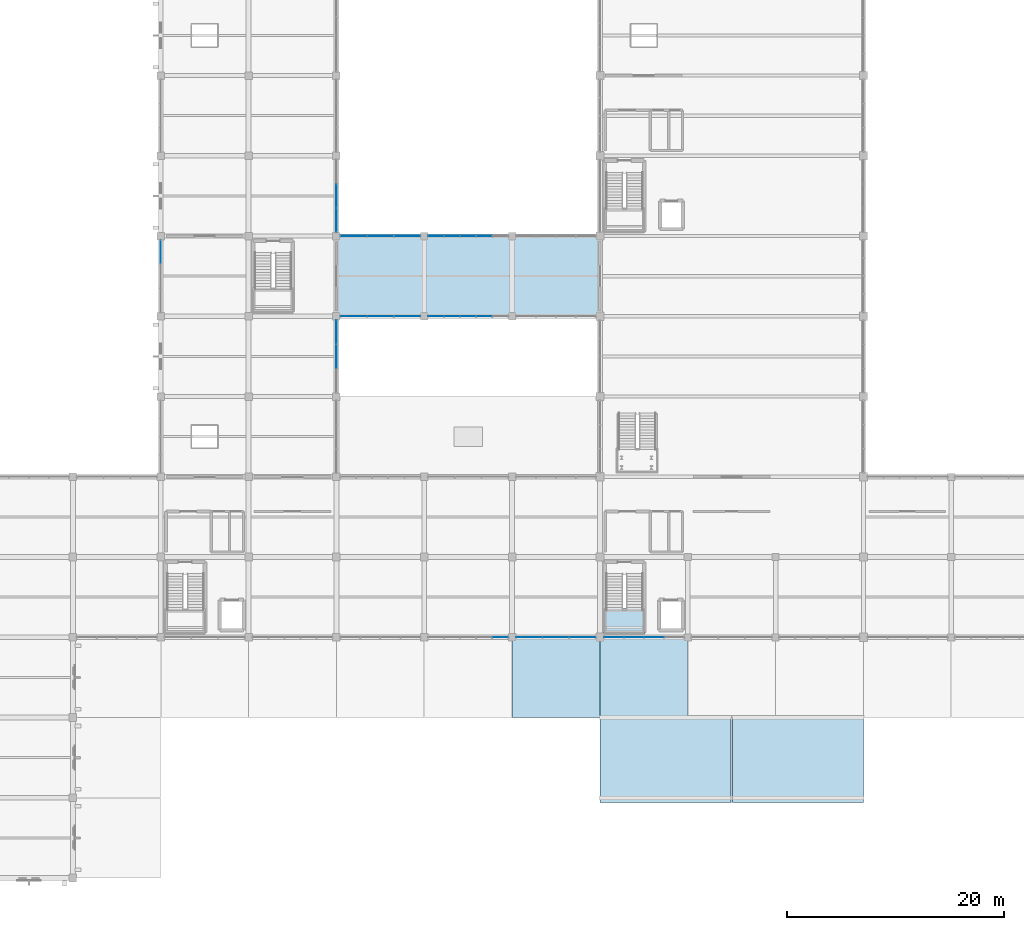
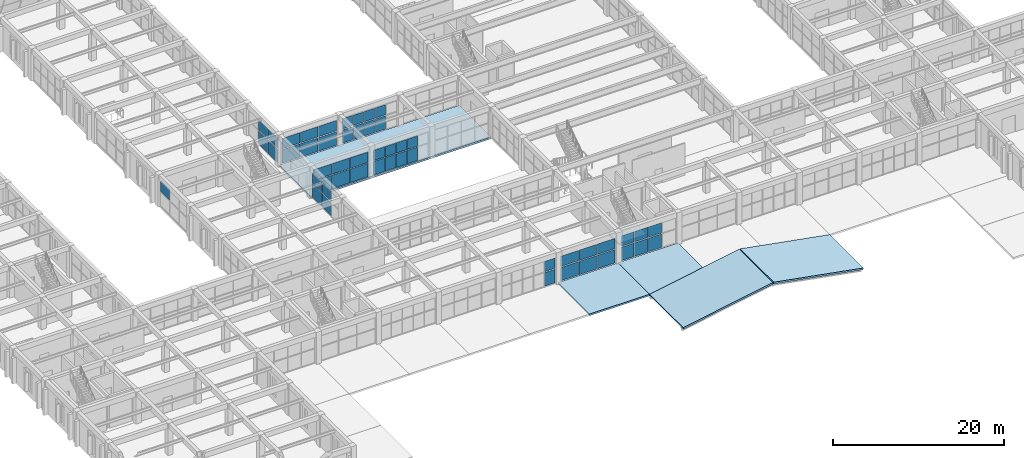
# One storey, part 132 of 161: 51 plates, 6 slabs, 11 elements without a shape of their own.
"""IFC4 building model written with IfcOpenShell, lengths in metres."""

from ifc_helpers import new_model, si_unit, direction, frame, origin, origin_2d, place, context, subcontext, project, spatial, polyline, rectangle, outline, extrude, material, layer, layer_set, type_object, element, aggregate, save


model = new_model("IFC4")

# Units and contexts
model_context = context("Model", 3, precision=1e-05, world=origin(), true_north=direction((0.0, 1.0)))
body_context = subcontext(model_context, "Body", "Model", "MODEL_VIEW")
ifc_project = project(units=[si_unit("LENGTHUNIT", "METRE"), si_unit("AREAUNIT", "SQUARE_METRE"), si_unit("VOLUMEUNIT", "CUBIC_METRE"), si_unit("PLANEANGLEUNIT", "RADIAN"), si_unit("MASSUNIT", "GRAM", prefix="KILO")], contexts=[model_context])

# Site, building, storey
site_placement = place(None, origin())
site = spatial("IfcSite", under=ifc_project, at=site_placement, CompositionType="ELEMENT")
building_placement = place(site_placement, origin())
building = spatial("IfcBuilding", under=site, at=building_placement, Name="Cimatlan Art Gallery", CompositionType="ELEMENT")
storey_placement = place(building_placement, frame((0.0, 0.0, 5.39990234375)))
storey = spatial("IfcBuildingStorey", under=building, at=storey_placement, Name="L01", CompositionType="ELEMENT", Elevation=5.39990234375)

# Curtain wall, plates
ifc_material_1 = material(Name="Anodised bronze unitised curtain wall")
curtain_wall_type_1 = type_object("IfcCurtainWallType", Name="CW-V-07392X03735-B5", PredefinedType="NOTDEFINED", material=ifc_material_1)
curtain_wall_1_placement = place(storey_placement, origin())
curtain_wall_1 = element("IfcCurtainWall", 1, at=curtain_wall_1_placement, inside=storey, type_object=curtain_wall_type_1, Name="CW-L01-07-07-S", PredefinedType="NOTDEFINED")
ifc_material_2 = material(Name="Low-E insulated double glazing", Category="glass")
ifc_layer_1 = layer(ifc_material_2, 0.028076171875)
ifc_layer_set_1 = layer_set([ifc_layer_1], Name="Low-E insulated double glazing")
plate_type_1 = type_object("IfcPlateType", Name="PNL-1420X1459", PredefinedType="CURTAIN_PANEL", material=ifc_layer_set_1)
plate_1_placement = place(storey_placement, frame((64.228515625, 53.5, 2.15380859375), z_axis=(0.0, 0.0, 1.0), x_axis=(-1.0, 0.0, 0.0)))
plate_1 = element("IfcPlate", 2, at=plate_1_placement, type_object=plate_type_1, Name="CW-L01-07-07-S-P22", PredefinedType="CURTAIN_PANEL", context=body_context, shape_type="SweptSolid", body=[
    extrude(rectangle(XDim=1.419921875, YDim=0.028076171875, at=origin_2d()), origin(), (0.0, 0.0, 1.0), 1.458984375),
])
plate_2_placement = place(storey_placement, frame((62.75, 53.5, 2.15380859375), z_axis=(0.0, 0.0, 1.0), x_axis=(-1.0, 0.0, 0.0)))
plate_2 = element("IfcPlate", 3, at=plate_2_placement, type_object=plate_type_1, Name="CW-L01-07-07-S-P32", PredefinedType="CURTAIN_PANEL", context=body_context, shape_type="SweptSolid", body=[
    extrude(rectangle(XDim=1.419921875, YDim=0.028076171875, at=origin_2d()), origin(), (0.0, 0.0, 1.0), 1.458984375),
])
plate_3_placement = place(storey_placement, frame((61.271484375, 53.5, 2.15380859375), z_axis=(0.0, 0.0, 1.0), x_axis=(-1.0, 0.0, 0.0)))
plate_3 = element("IfcPlate", 4, at=plate_3_placement, type_object=plate_type_1, Name="CW-L01-07-07-S-P42", PredefinedType="CURTAIN_PANEL", context=body_context, shape_type="SweptSolid", body=[
    extrude(rectangle(XDim=1.419921875, YDim=0.028076171875, at=origin_2d()), origin(), (0.0, 0.0, 1.0), 1.458984375),
])
plate_4_placement = place(storey_placement, frame((59.793212890625, 53.5, 2.15380859375), z_axis=(0.0, 0.0, 1.0), x_axis=(-1.0, 0.0, 0.0)))
plate_4 = element("IfcPlate", 5, at=plate_4_placement, type_object=plate_type_1, Name="CW-L01-07-07-S-P52", PredefinedType="CURTAIN_PANEL", context=body_context, shape_type="SweptSolid", body=[
    extrude(rectangle(XDim=1.419921875, YDim=0.028076171875, at=origin_2d()), origin(), (0.0, 0.0, 1.0), 1.458984375),
])

curtain_wall_2_placement = place(storey_placement, origin())
curtain_wall_2 = element("IfcCurtainWall", 6, at=curtain_wall_2_placement, inside=storey, type_object=curtain_wall_type_1, Name="CW-L01-07-07-N", PredefinedType="NOTDEFINED")
plate_5_placement = place(storey_placement, frame((59.793212890625, 60.89990234375, 2.15380859375), z_axis=(0.0, 0.0, 1.0), x_axis=(1.0, 0.0, 0.0)))
plate_5 = element("IfcPlate", 7, at=plate_5_placement, type_object=plate_type_1, Name="CW-L01-07-07-N-P12", PredefinedType="CURTAIN_PANEL", context=body_context, shape_type="SweptSolid", body=[
    extrude(rectangle(XDim=1.419921875, YDim=0.028076171875, at=origin_2d()), origin(), (0.0, 0.0, 1.0), 1.458984375),
])
plate_6_placement = place(storey_placement, frame((61.271484375, 60.89990234375, 2.15380859375), z_axis=(0.0, 0.0, 1.0), x_axis=(1.0, 0.0, 0.0)))
plate_6 = element("IfcPlate", 8, at=plate_6_placement, type_object=plate_type_1, Name="CW-L01-07-07-N-P22", PredefinedType="CURTAIN_PANEL", context=body_context, shape_type="SweptSolid", body=[
    extrude(rectangle(XDim=1.419921875, YDim=0.028076171875, at=origin_2d()), origin(), (0.0, 0.0, 1.0), 1.458984375),
])
plate_7_placement = place(storey_placement, frame((62.75, 60.89990234375, 2.15380859375), z_axis=(0.0, 0.0, 1.0), x_axis=(1.0, 0.0, 0.0)))
plate_7 = element("IfcPlate", 9, at=plate_7_placement, type_object=plate_type_1, Name="CW-L01-07-07-N-P32", PredefinedType="CURTAIN_PANEL", context=body_context, shape_type="SweptSolid", body=[
    extrude(rectangle(XDim=1.419921875, YDim=0.028076171875, at=origin_2d()), origin(), (0.0, 0.0, 1.0), 1.458984375),
])
plate_8_placement = place(storey_placement, frame((64.228515625, 60.89990234375, 2.15380859375), z_axis=(0.0, 0.0, 1.0), x_axis=(1.0, 0.0, 0.0)))
plate_8 = element("IfcPlate", 10, at=plate_8_placement, type_object=plate_type_1, Name="CW-L01-07-07-N-P42", PredefinedType="CURTAIN_PANEL", context=body_context, shape_type="SweptSolid", body=[
    extrude(rectangle(XDim=1.419921875, YDim=0.028076171875, at=origin_2d()), origin(), (0.0, 0.0, 1.0), 1.458984375),
])

# Curtain wall, plate
curtain_wall_type_2 = type_object("IfcCurtainWallType", Name="CW-V-07392X03795-B5", PredefinedType="NOTDEFINED", material=ifc_material_1)
curtain_wall_3_placement = place(storey_placement, origin())
curtain_wall_3 = element("IfcCurtainWall", 11, at=curtain_wall_3_placement, inside=storey, type_object=curtain_wall_type_2, Name="CW-L01-07-03-S", PredefinedType="NOTDEFINED")
ifc_layer_2 = layer(ifc_material_2, 0.028076171875)
ifc_layer_set_2 = layer_set([ifc_layer_2], Name="Low-E insulated double glazing")
plate_type_2 = type_object("IfcPlateType", Name="PNL-1420X1486", PredefinedType="CURTAIN_PANEL", material=ifc_layer_set_2)
plate_9_placement = place(storey_placement, frame((65.706787109375, 23.89990234375, 2.18701171875), z_axis=(0.0, 0.0, 1.0), x_axis=(-1.0, 0.0, 0.0)))
plate_9 = element("IfcPlate", 12, at=plate_9_placement, type_object=plate_type_2, Name="CW-L01-07-03-S-P12", PredefinedType="CURTAIN_PANEL", context=body_context, shape_type="SweptSolid", body=[
    extrude(rectangle(XDim=1.419921875, YDim=0.028076171875, at=origin_2d()), origin(), (0.0, 0.0, 1.0), 1.486083984375),
])

# Plate
ifc_layer_3 = layer(ifc_material_2, 0.028076171875)
ifc_layer_set_3 = layer_set([ifc_layer_3], Name="Low-E insulated double glazing")
plate_type_3 = type_object("IfcPlateType", Name="PNL-1420X1908", PredefinedType="CURTAIN_PANEL", material=ifc_layer_set_3)
plate_10_placement = place(storey_placement, frame((64.228515625, 53.5, 0.1220703125), z_axis=(0.0, 0.0, 1.0), x_axis=(-1.0, 0.0, 0.0)))
plate_10 = element("IfcPlate", 13, at=plate_10_placement, type_object=plate_type_3, Name="CW-L01-07-07-S-P21", PredefinedType="CURTAIN_PANEL", context=body_context, shape_type="SweptSolid", body=[
    extrude(rectangle(XDim=1.419921875, YDim=0.028076171875, at=origin_2d()), origin(), (0.0, 0.0, 1.0), 1.907958984375),
])

plate_11_placement = place(storey_placement, frame((62.75, 53.5, 0.1220703125), z_axis=(0.0, 0.0, 1.0), x_axis=(-1.0, 0.0, 0.0)))
plate_11 = element("IfcPlate", 14, at=plate_11_placement, type_object=plate_type_3, Name="CW-L01-07-07-S-P31", PredefinedType="CURTAIN_PANEL", context=body_context, shape_type="SweptSolid", body=[
    extrude(rectangle(XDim=1.419921875, YDim=0.028076171875, at=origin_2d()), origin(), (0.0, 0.0, 1.0), 1.907958984375),
])

plate_12_placement = place(storey_placement, frame((61.271484375, 53.5, 0.1220703125), z_axis=(0.0, 0.0, 1.0), x_axis=(-1.0, 0.0, 0.0)))
plate_12 = element("IfcPlate", 15, at=plate_12_placement, type_object=plate_type_3, Name="CW-L01-07-07-S-P41", PredefinedType="CURTAIN_PANEL", context=body_context, shape_type="SweptSolid", body=[
    extrude(rectangle(XDim=1.419921875, YDim=0.028076171875, at=origin_2d()), origin(), (0.0, 0.0, 1.0), 1.907958984375),
])

plate_13_placement = place(storey_placement, frame((59.793212890625, 53.5, 0.1220703125), z_axis=(0.0, 0.0, 1.0), x_axis=(-1.0, 0.0, 0.0)))
plate_13 = element("IfcPlate", 16, at=plate_13_placement, type_object=plate_type_3, Name="CW-L01-07-07-S-P51", PredefinedType="CURTAIN_PANEL", context=body_context, shape_type="SweptSolid", body=[
    extrude(rectangle(XDim=1.419921875, YDim=0.028076171875, at=origin_2d()), origin(), (0.0, 0.0, 1.0), 1.907958984375),
])

aggregate(curtain_wall_1, [plate_10, plate_1, plate_11, plate_2, plate_12, plate_3, plate_13, plate_4])

plate_14_placement = place(storey_placement, frame((59.793212890625, 60.89990234375, 0.1220703125), z_axis=(0.0, 0.0, 1.0), x_axis=(1.0, 0.0, 0.0)))
plate_14 = element("IfcPlate", 17, at=plate_14_placement, type_object=plate_type_3, Name="CW-L01-07-07-N-P11", PredefinedType="CURTAIN_PANEL", context=body_context, shape_type="SweptSolid", body=[
    extrude(rectangle(XDim=1.419921875, YDim=0.028076171875, at=origin_2d()), origin(), (0.0, 0.0, 1.0), 1.907958984375),
])

plate_15_placement = place(storey_placement, frame((61.271484375, 60.89990234375, 0.1220703125), z_axis=(0.0, 0.0, 1.0), x_axis=(1.0, 0.0, 0.0)))
plate_15 = element("IfcPlate", 18, at=plate_15_placement, type_object=plate_type_3, Name="CW-L01-07-07-N-P21", PredefinedType="CURTAIN_PANEL", context=body_context, shape_type="SweptSolid", body=[
    extrude(rectangle(XDim=1.419921875, YDim=0.028076171875, at=origin_2d()), origin(), (0.0, 0.0, 1.0), 1.907958984375),
])

plate_16_placement = place(storey_placement, frame((62.75, 60.89990234375, 0.1220703125), z_axis=(0.0, 0.0, 1.0), x_axis=(1.0, 0.0, 0.0)))
plate_16 = element("IfcPlate", 19, at=plate_16_placement, type_object=plate_type_3, Name="CW-L01-07-07-N-P31", PredefinedType="CURTAIN_PANEL", context=body_context, shape_type="SweptSolid", body=[
    extrude(rectangle(XDim=1.419921875, YDim=0.028076171875, at=origin_2d()), origin(), (0.0, 0.0, 1.0), 1.907958984375),
])

plate_17_placement = place(storey_placement, frame((64.228515625, 60.89990234375, 0.1220703125), z_axis=(0.0, 0.0, 1.0), x_axis=(1.0, 0.0, 0.0)))
plate_17 = element("IfcPlate", 20, at=plate_17_placement, type_object=plate_type_3, Name="CW-L01-07-07-N-P41", PredefinedType="CURTAIN_PANEL", context=body_context, shape_type="SweptSolid", body=[
    extrude(rectangle(XDim=1.419921875, YDim=0.028076171875, at=origin_2d()), origin(), (0.0, 0.0, 1.0), 1.907958984375),
])

aggregate(curtain_wall_2, [plate_14, plate_5, plate_15, plate_6, plate_16, plate_7, plate_17, plate_8])

ifc_layer_4 = layer(ifc_material_2, 0.028076171875)
ifc_layer_set_4 = layer_set([ifc_layer_4], Name="Low-E insulated double glazing")
plate_type_4 = type_object("IfcPlateType", Name="PNL-1420X1941", PredefinedType="CURTAIN_PANEL", material=ifc_layer_set_4)
plate_18_placement = place(storey_placement, frame((65.706787109375, 23.89990234375, 0.122314453125), z_axis=(0.0, 0.0, 1.0), x_axis=(-1.0, 0.0, 0.0)))
plate_18 = element("IfcPlate", 21, at=plate_18_placement, type_object=plate_type_4, Name="CW-L01-07-03-S-P11", PredefinedType="CURTAIN_PANEL", context=body_context, shape_type="SweptSolid", body=[
    extrude(rectangle(XDim=1.419921875, YDim=0.028076171875, at=origin_2d()), origin(), (0.0, 0.0, 1.0), 1.94091796875),
])

aggregate(curtain_wall_3, [plate_18, plate_9])

# Curtain wall, plates
curtain_wall_type_3 = type_object("IfcCurtainWallType", Name="CW-V-07392X03795-B4", PredefinedType="NOTDEFINED", material=ifc_material_1)
curtain_wall_4_placement = place(storey_placement, origin())
curtain_wall_4 = element("IfcCurtainWall", 22, at=curtain_wall_4_placement, inside=storey, type_object=curtain_wall_type_3, Name="CW-L01-09-03-S", PredefinedType="NOTDEFINED")
ifc_layer_5 = layer(ifc_material_2, 0.028076171875)
ifc_layer_set_5 = layer_set([ifc_layer_5], Name="Low-E insulated double glazing")
plate_type_5 = type_object("IfcPlateType", Name="PNL-1790X1486", PredefinedType="CURTAIN_PANEL", material=ifc_layer_set_5)
plate_19_placement = place(storey_placement, frame((79.89892578125, 23.89990234375, 2.18701171875), z_axis=(0.0, 0.0, 1.0), x_axis=(-1.0, 0.0, 0.0)))
plate_19 = element("IfcPlate", 23, at=plate_19_placement, type_object=plate_type_5, Name="CW-L01-09-03-S-P22", PredefinedType="CURTAIN_PANEL", context=body_context, shape_type="SweptSolid", body=[
    extrude(rectangle(XDim=1.7900390625, YDim=0.028076171875, at=origin_2d()), origin(), (0.0, 0.0, 1.0), 1.486083984375),
])
plate_20_placement = place(storey_placement, frame((78.051025390625, 23.89990234375, 2.18701171875), z_axis=(0.0, 0.0, 1.0), x_axis=(-1.0, 0.0, 0.0)))
plate_20 = element("IfcPlate", 24, at=plate_20_placement, type_object=plate_type_5, Name="CW-L01-09-03-S-P32", PredefinedType="CURTAIN_PANEL", context=body_context, shape_type="SweptSolid", body=[
    extrude(rectangle(XDim=1.7900390625, YDim=0.028076171875, at=origin_2d()), origin(), (0.0, 0.0, 1.0), 1.486083984375),
])
plate_21_placement = place(storey_placement, frame((76.202880859375, 23.89990234375, 2.18701171875), z_axis=(0.0, 0.0, 1.0), x_axis=(-1.0, 0.0, 0.0)))
plate_21 = element("IfcPlate", 25, at=plate_21_placement, type_object=plate_type_5, Name="CW-L01-09-03-S-P42", PredefinedType="CURTAIN_PANEL", context=body_context, shape_type="SweptSolid", body=[
    extrude(rectangle(XDim=1.7900390625, YDim=0.028076171875, at=origin_2d()), origin(), (0.0, 0.0, 1.0), 1.486083984375),
])
ifc_layer_6 = layer(ifc_material_2, 0.028076171875)
ifc_layer_set_6 = layer_set([ifc_layer_6], Name="Low-E insulated double glazing")
plate_type_6 = type_object("IfcPlateType", Name="PNL-1790X1941", PredefinedType="CURTAIN_PANEL", material=ifc_layer_set_6)
plate_22_placement = place(storey_placement, frame((79.89892578125, 23.89990234375, 0.122314453125), z_axis=(0.0, 0.0, 1.0), x_axis=(-1.0, 0.0, 0.0)))
plate_22 = element("IfcPlate", 26, at=plate_22_placement, type_object=plate_type_6, Name="CW-L01-09-03-S-P21", PredefinedType="CURTAIN_PANEL", context=body_context, shape_type="SweptSolid", body=[
    extrude(rectangle(XDim=1.7900390625, YDim=0.028076171875, at=origin_2d()), origin(), (0.0, 0.0, 1.0), 1.94091796875),
])
plate_23_placement = place(storey_placement, frame((78.051025390625, 23.89990234375, 0.122314453125), z_axis=(0.0, 0.0, 1.0), x_axis=(-1.0, 0.0, 0.0)))
plate_23 = element("IfcPlate", 27, at=plate_23_placement, type_object=plate_type_6, Name="CW-L01-09-03-S-P31", PredefinedType="CURTAIN_PANEL", context=body_context, shape_type="SweptSolid", body=[
    extrude(rectangle(XDim=1.7900390625, YDim=0.028076171875, at=origin_2d()), origin(), (0.0, 0.0, 1.0), 1.94091796875),
])
plate_24_placement = place(storey_placement, frame((76.202880859375, 23.89990234375, 0.122314453125), z_axis=(0.0, 0.0, 1.0), x_axis=(-1.0, 0.0, 0.0)))
plate_24 = element("IfcPlate", 28, at=plate_24_placement, type_object=plate_type_6, Name="CW-L01-09-03-S-P41", PredefinedType="CURTAIN_PANEL", context=body_context, shape_type="SweptSolid", body=[
    extrude(rectangle(XDim=1.7900390625, YDim=0.028076171875, at=origin_2d()), origin(), (0.0, 0.0, 1.0), 1.94091796875),
])
aggregate(curtain_wall_4, [plate_22, plate_19, plate_23, plate_20, plate_24, plate_21])

curtain_wall_type_4 = type_object("IfcCurtainWallType", Name="CW-V-06692X03720-B3", PredefinedType="NOTDEFINED", material=ifc_material_1)
curtain_wall_5_placement = place(storey_placement, origin())
curtain_wall_5 = element("IfcCurtainWall", 29, at=curtain_wall_5_placement, inside=storey, type_object=curtain_wall_type_4, Name="CW-L01-05-08-E", PredefinedType="NOTDEFINED")
ifc_layer_7 = layer(ifc_material_2, 0.028076171875)
ifc_layer_set_7 = layer_set([ifc_layer_7], Name="Low-E insulated double glazing")
plate_type_7 = type_object("IfcPlateType", Name="PNL-2173X1453", PredefinedType="CURTAIN_PANEL", material=ifc_layer_set_7)
plate_25_placement = place(storey_placement, frame((50.60009765625, 64.60009765625, 2.14501953125), z_axis=(0.0, 0.0, 1.0), x_axis=(0.0, -1.0, 0.0)))
plate_25 = element("IfcPlate", 30, at=plate_25_placement, type_object=plate_type_7, Name="CW-L01-05-08-E-P22", PredefinedType="CURTAIN_PANEL", context=body_context, shape_type="SweptSolid", body=[
    extrude(rectangle(XDim=2.173095703125, YDim=0.028076171875, at=origin_2d()), origin(), (0.0, 0.0, 1.0), 1.452880859375),
])
plate_26_placement = place(storey_placement, frame((50.60009765625, 62.369384765625, 2.14501953125), z_axis=(0.0, 0.0, 1.0), x_axis=(0.0, -1.0, 0.0)))
plate_26 = element("IfcPlate", 31, at=plate_26_placement, type_object=plate_type_7, Name="CW-L01-05-08-E-P32", PredefinedType="CURTAIN_PANEL", context=body_context, shape_type="SweptSolid", body=[
    extrude(rectangle(XDim=2.173095703125, YDim=0.028076171875, at=origin_2d()), origin(), (0.0, 0.0, 1.0), 1.452880859375),
])

curtain_wall_type_5 = type_object("IfcCurtainWallType", Name="CW-V-06692X03750-B3", PredefinedType="NOTDEFINED", material=ifc_material_1)
curtain_wall_6_placement = place(storey_placement, origin())
curtain_wall_6 = element("IfcCurtainWall", 32, at=curtain_wall_6_placement, inside=storey, type_object=curtain_wall_type_5, Name="CW-L01-05-06-E", PredefinedType="NOTDEFINED")
ifc_layer_8 = layer(ifc_material_2, 0.028076171875)
ifc_layer_set_8 = layer_set([ifc_layer_8], Name="Low-E insulated double glazing")
plate_type_8 = type_object("IfcPlateType", Name="PNL-2173X1466", PredefinedType="CURTAIN_PANEL", material=ifc_layer_set_8)
plate_27_placement = place(storey_placement, frame((50.60009765625, 52.03076171875, 2.162109375), z_axis=(0.0, 0.0, 1.0), x_axis=(0.0, -1.0, 0.0)))
plate_27 = element("IfcPlate", 33, at=plate_27_placement, type_object=plate_type_8, Name="CW-L01-05-06-E-P12", PredefinedType="CURTAIN_PANEL", context=body_context, shape_type="SweptSolid", body=[
    extrude(rectangle(XDim=2.173095703125, YDim=0.028076171875, at=origin_2d()), origin(), (0.0, 0.0, 1.0), 1.466064453125),
])
plate_28_placement = place(storey_placement, frame((50.60009765625, 49.800048828125, 2.162109375), z_axis=(0.0, 0.0, 1.0), x_axis=(0.0, -1.0, 0.0)))
plate_28 = element("IfcPlate", 34, at=plate_28_placement, type_object=plate_type_8, Name="CW-L01-05-06-E-P22", PredefinedType="CURTAIN_PANEL", context=body_context, shape_type="SweptSolid", body=[
    extrude(rectangle(XDim=2.173095703125, YDim=0.028076171875, at=origin_2d()), origin(), (0.0, 0.0, 1.0), 1.466064453125),
])

# Curtain wall, plate
curtain_wall_type_6 = type_object("IfcCurtainWallType", Name="CW-V-06692X03780-B3", PredefinedType="NOTDEFINED", material=ifc_material_1)
curtain_wall_7_placement = place(storey_placement, origin())
curtain_wall_7 = element("IfcCurtainWall", 35, at=curtain_wall_7_placement, inside=storey, type_object=curtain_wall_type_6, Name="CW-L01-04-07-W", PredefinedType="NOTDEFINED")
ifc_layer_9 = layer(ifc_material_2, 0.028076171875)
ifc_layer_set_9 = layer_set([ifc_layer_9], Name="Low-E insulated double glazing")
plate_type_9 = type_object("IfcPlateType", Name="PNL-2173X1479", PredefinedType="CURTAIN_PANEL", material=ifc_layer_set_9)
plate_29_placement = place(storey_placement, frame((34.39990234375, 59.4306640625, 2.178955078125), z_axis=(0.0, 0.0, 1.0), x_axis=(0.0, 1.0, 0.0)))
plate_29 = element("IfcPlate", 36, at=plate_29_placement, type_object=plate_type_9, Name="CW-L01-04-07-W-P32", PredefinedType="CURTAIN_PANEL", context=body_context, shape_type="SweptSolid", body=[
    extrude(rectangle(XDim=2.173095703125, YDim=0.028076171875, at=origin_2d()), origin(), (0.0, 0.0, 1.0), 1.47900390625),
])
aggregate(curtain_wall_7, [plate_29])

# Plate
ifc_layer_10 = layer(ifc_material_2, 0.028076171875)
ifc_layer_set_10 = layer_set([ifc_layer_10], Name="Low-E insulated double glazing")
plate_type_10 = type_object("IfcPlateType", Name="PNL-2173X1899", PredefinedType="CURTAIN_PANEL", material=ifc_layer_set_10)
plate_30_placement = place(storey_placement, frame((50.60009765625, 64.60009765625, 0.122314453125), z_axis=(0.0, 0.0, 1.0), x_axis=(0.0, -1.0, 0.0)))
plate_30 = element("IfcPlate", 37, at=plate_30_placement, type_object=plate_type_10, Name="CW-L01-05-08-E-P21", PredefinedType="CURTAIN_PANEL", context=body_context, shape_type="SweptSolid", body=[
    extrude(rectangle(XDim=2.173095703125, YDim=0.028076171875, at=origin_2d()), origin(), (0.0, 0.0, 1.0), 1.89892578125),
])

plate_31_placement = place(storey_placement, frame((50.60009765625, 62.369384765625, 0.122314453125), z_axis=(0.0, 0.0, 1.0), x_axis=(0.0, -1.0, 0.0)))
plate_31 = element("IfcPlate", 38, at=plate_31_placement, type_object=plate_type_10, Name="CW-L01-05-08-E-P31", PredefinedType="CURTAIN_PANEL", context=body_context, shape_type="SweptSolid", body=[
    extrude(rectangle(XDim=2.173095703125, YDim=0.028076171875, at=origin_2d()), origin(), (0.0, 0.0, 1.0), 1.89892578125),
])

aggregate(curtain_wall_5, [plate_30, plate_25, plate_31, plate_26])

ifc_layer_11 = layer(ifc_material_2, 0.028076171875)
ifc_layer_set_11 = layer_set([ifc_layer_11], Name="Low-E insulated double glazing")
plate_type_11 = type_object("IfcPlateType", Name="PNL-2173X1916", PredefinedType="CURTAIN_PANEL", material=ifc_layer_set_11)
plate_32_placement = place(storey_placement, frame((50.60009765625, 52.03076171875, 0.1220703125), z_axis=(0.0, 0.0, 1.0), x_axis=(0.0, -1.0, 0.0)))
plate_32 = element("IfcPlate", 39, at=plate_32_placement, type_object=plate_type_11, Name="CW-L01-05-06-E-P11", PredefinedType="CURTAIN_PANEL", context=body_context, shape_type="SweptSolid", body=[
    extrude(rectangle(XDim=2.173095703125, YDim=0.028076171875, at=origin_2d()), origin(), (0.0, 0.0, 1.0), 1.916015625),
])

plate_33_placement = place(storey_placement, frame((50.60009765625, 49.800048828125, 0.1220703125), z_axis=(0.0, 0.0, 1.0), x_axis=(0.0, -1.0, 0.0)))
plate_33 = element("IfcPlate", 40, at=plate_33_placement, type_object=plate_type_11, Name="CW-L01-05-06-E-P21", PredefinedType="CURTAIN_PANEL", context=body_context, shape_type="SweptSolid", body=[
    extrude(rectangle(XDim=2.173095703125, YDim=0.028076171875, at=origin_2d()), origin(), (0.0, 0.0, 1.0), 1.916015625),
])

aggregate(curtain_wall_6, [plate_32, plate_27, plate_33, plate_28])

# Curtain wall, plates
curtain_wall_type_7 = type_object("IfcCurtainWallType", Name="CW-V-07367X03750-B3", PredefinedType="NOTDEFINED", material=ifc_material_1)
curtain_wall_8_placement = place(storey_placement, origin())
curtain_wall_8 = element("IfcCurtainWall", 41, at=curtain_wall_8_placement, inside=storey, type_object=curtain_wall_type_7, Name="CW-L01-08-03-S", PredefinedType="NOTDEFINED")
ifc_layer_12 = layer(ifc_material_2, 0.028076171875)
ifc_layer_set_12 = layer_set([ifc_layer_12], Name="Low-E insulated double glazing")
plate_type_12 = type_object("IfcPlateType", Name="PNL-2398X1466", PredefinedType="CURTAIN_PANEL", material=ifc_layer_set_12)
plate_34_placement = place(storey_placement, frame((73.293212890625, 23.89990234375, 2.162109375), z_axis=(0.0, 0.0, 1.0), x_axis=(-1.0, 0.0, 0.0)))
plate_34 = element("IfcPlate", 42, at=plate_34_placement, type_object=plate_type_12, Name="CW-L01-08-03-S-P12", PredefinedType="CURTAIN_PANEL", context=body_context, shape_type="SweptSolid", body=[
    extrude(rectangle(XDim=2.39794921875, YDim=0.028076171875, at=origin_2d()), origin(), (0.0, 0.0, 1.0), 1.466064453125),
])
plate_35_placement = place(storey_placement, frame((70.83740234375, 23.89990234375, 2.162109375), z_axis=(0.0, 0.0, 1.0), x_axis=(-1.0, 0.0, 0.0)))
plate_35 = element("IfcPlate", 43, at=plate_35_placement, type_object=plate_type_12, Name="CW-L01-08-03-S-P22", PredefinedType="CURTAIN_PANEL", context=body_context, shape_type="SweptSolid", body=[
    extrude(rectangle(XDim=2.39794921875, YDim=0.028076171875, at=origin_2d()), origin(), (0.0, 0.0, 1.0), 1.466064453125),
])
plate_36_placement = place(storey_placement, frame((68.3818359375, 23.89990234375, 2.162109375), z_axis=(0.0, 0.0, 1.0), x_axis=(-1.0, 0.0, 0.0)))
plate_36 = element("IfcPlate", 44, at=plate_36_placement, type_object=plate_type_12, Name="CW-L01-08-03-S-P32", PredefinedType="CURTAIN_PANEL", context=body_context, shape_type="SweptSolid", body=[
    extrude(rectangle(XDim=2.39794921875, YDim=0.028076171875, at=origin_2d()), origin(), (0.0, 0.0, 1.0), 1.466064453125),
])
ifc_layer_13 = layer(ifc_material_2, 0.028076171875)
ifc_layer_set_13 = layer_set([ifc_layer_13], Name="Low-E insulated double glazing")
plate_type_13 = type_object("IfcPlateType", Name="PNL-2398X1916", PredefinedType="CURTAIN_PANEL", material=ifc_layer_set_13)
plate_37_placement = place(storey_placement, frame((73.293212890625, 23.89990234375, 0.1220703125), z_axis=(0.0, 0.0, 1.0), x_axis=(-1.0, 0.0, 0.0)))
plate_37 = element("IfcPlate", 45, at=plate_37_placement, type_object=plate_type_13, Name="CW-L01-08-03-S-P11", PredefinedType="CURTAIN_PANEL", context=body_context, shape_type="SweptSolid", body=[
    extrude(rectangle(XDim=2.39794921875, YDim=0.028076171875, at=origin_2d()), origin(), (0.0, 0.0, 1.0), 1.916015625),
])
plate_38_placement = place(storey_placement, frame((70.83740234375, 23.89990234375, 0.1220703125), z_axis=(0.0, 0.0, 1.0), x_axis=(-1.0, 0.0, 0.0)))
plate_38 = element("IfcPlate", 46, at=plate_38_placement, type_object=plate_type_13, Name="CW-L01-08-03-S-P21", PredefinedType="CURTAIN_PANEL", context=body_context, shape_type="SweptSolid", body=[
    extrude(rectangle(XDim=2.39794921875, YDim=0.028076171875, at=origin_2d()), origin(), (0.0, 0.0, 1.0), 1.916015625),
])
plate_39_placement = place(storey_placement, frame((68.3818359375, 23.89990234375, 0.1220703125), z_axis=(0.0, 0.0, 1.0), x_axis=(-1.0, 0.0, 0.0)))
plate_39 = element("IfcPlate", 47, at=plate_39_placement, type_object=plate_type_13, Name="CW-L01-08-03-S-P31", PredefinedType="CURTAIN_PANEL", context=body_context, shape_type="SweptSolid", body=[
    extrude(rectangle(XDim=2.39794921875, YDim=0.028076171875, at=origin_2d()), origin(), (0.0, 0.0, 1.0), 1.916015625),
])
aggregate(curtain_wall_8, [plate_37, plate_34, plate_38, plate_35, plate_39, plate_36])

curtain_wall_type_8 = type_object("IfcCurtainWallType", Name="CW-V-07392X03780-B3", PredefinedType="NOTDEFINED", material=ifc_material_1)
curtain_wall_9_placement = place(storey_placement, origin())
curtain_wall_9 = element("IfcCurtainWall", 48, at=curtain_wall_9_placement, inside=storey, type_object=curtain_wall_type_8, Name="CW-L01-06-07-S", PredefinedType="NOTDEFINED")
ifc_layer_14 = layer(ifc_material_2, 0.028076171875)
ifc_layer_set_14 = layer_set([ifc_layer_14], Name="Low-E insulated double glazing")
plate_type_14 = type_object("IfcPlateType", Name="PNL-2406X1479", PredefinedType="CURTAIN_PANEL", material=ifc_layer_set_14)
plate_40_placement = place(storey_placement, frame((57.114013671875, 53.5, 2.178955078125), z_axis=(0.0, 0.0, 1.0), x_axis=(-1.0, 0.0, 0.0)))
plate_40 = element("IfcPlate", 49, at=plate_40_placement, type_object=plate_type_14, Name="CW-L01-06-07-S-P12", PredefinedType="CURTAIN_PANEL", context=body_context, shape_type="SweptSolid", body=[
    extrude(rectangle(XDim=2.406005859375, YDim=0.028076171875, at=origin_2d()), origin(), (0.0, 0.0, 1.0), 1.47900390625),
])
plate_41_placement = place(storey_placement, frame((54.64990234375, 53.5, 2.178955078125), z_axis=(0.0, 0.0, 1.0), x_axis=(-1.0, 0.0, 0.0)))
plate_41 = element("IfcPlate", 50, at=plate_41_placement, type_object=plate_type_14, Name="CW-L01-06-07-S-P22", PredefinedType="CURTAIN_PANEL", context=body_context, shape_type="SweptSolid", body=[
    extrude(rectangle(XDim=2.406005859375, YDim=0.028076171875, at=origin_2d()), origin(), (0.0, 0.0, 1.0), 1.47900390625),
])
plate_42_placement = place(storey_placement, frame((52.18603515625, 53.5, 2.178955078125), z_axis=(0.0, 0.0, 1.0), x_axis=(-1.0, 0.0, 0.0)))
plate_42 = element("IfcPlate", 51, at=plate_42_placement, type_object=plate_type_14, Name="CW-L01-06-07-S-P32", PredefinedType="CURTAIN_PANEL", context=body_context, shape_type="SweptSolid", body=[
    extrude(rectangle(XDim=2.406005859375, YDim=0.028076171875, at=origin_2d()), origin(), (0.0, 0.0, 1.0), 1.47900390625),
])

curtain_wall_10_placement = place(storey_placement, origin())
curtain_wall_10 = element("IfcCurtainWall", 52, at=curtain_wall_10_placement, inside=storey, type_object=curtain_wall_type_8, Name="CW-L01-06-07-N", PredefinedType="NOTDEFINED")
plate_43_placement = place(storey_placement, frame((52.18603515625, 60.89990234375, 2.178955078125), z_axis=(0.0, 0.0, 1.0), x_axis=(1.0, 0.0, 0.0)))
plate_43 = element("IfcPlate", 53, at=plate_43_placement, type_object=plate_type_14, Name="CW-L01-06-07-N-P12", PredefinedType="CURTAIN_PANEL", context=body_context, shape_type="SweptSolid", body=[
    extrude(rectangle(XDim=2.406005859375, YDim=0.028076171875, at=origin_2d()), origin(), (0.0, 0.0, 1.0), 1.47900390625),
])
plate_44_placement = place(storey_placement, frame((54.64990234375, 60.89990234375, 2.178955078125), z_axis=(0.0, 0.0, 1.0), x_axis=(1.0, 0.0, 0.0)))
plate_44 = element("IfcPlate", 54, at=plate_44_placement, type_object=plate_type_14, Name="CW-L01-06-07-N-P22", PredefinedType="CURTAIN_PANEL", context=body_context, shape_type="SweptSolid", body=[
    extrude(rectangle(XDim=2.406005859375, YDim=0.028076171875, at=origin_2d()), origin(), (0.0, 0.0, 1.0), 1.47900390625),
])
plate_45_placement = place(storey_placement, frame((57.114013671875, 60.89990234375, 2.178955078125), z_axis=(0.0, 0.0, 1.0), x_axis=(1.0, 0.0, 0.0)))
plate_45 = element("IfcPlate", 55, at=plate_45_placement, type_object=plate_type_14, Name="CW-L01-06-07-N-P32", PredefinedType="CURTAIN_PANEL", context=body_context, shape_type="SweptSolid", body=[
    extrude(rectangle(XDim=2.406005859375, YDim=0.028076171875, at=origin_2d()), origin(), (0.0, 0.0, 1.0), 1.47900390625),
])

# Plate
ifc_layer_15 = layer(ifc_material_2, 0.028076171875)
ifc_layer_set_15 = layer_set([ifc_layer_15], Name="Low-E insulated double glazing")
plate_type_15 = type_object("IfcPlateType", Name="PNL-2406X1933", PredefinedType="CURTAIN_PANEL", material=ifc_layer_set_15)
plate_46_placement = place(storey_placement, frame((57.114013671875, 53.5, 0.121826171875), z_axis=(0.0, 0.0, 1.0), x_axis=(-1.0, 0.0, 0.0)))
plate_46 = element("IfcPlate", 56, at=plate_46_placement, type_object=plate_type_15, Name="CW-L01-06-07-S-P11", PredefinedType="CURTAIN_PANEL", context=body_context, shape_type="SweptSolid", body=[
    extrude(rectangle(XDim=2.406005859375, YDim=0.028076171875, at=origin_2d()), origin(), (0.0, 0.0, 1.0), 1.93310546875),
])

plate_47_placement = place(storey_placement, frame((54.64990234375, 53.5, 0.121826171875), z_axis=(0.0, 0.0, 1.0), x_axis=(-1.0, 0.0, 0.0)))
plate_47 = element("IfcPlate", 57, at=plate_47_placement, type_object=plate_type_15, Name="CW-L01-06-07-S-P21", PredefinedType="CURTAIN_PANEL", context=body_context, shape_type="SweptSolid", body=[
    extrude(rectangle(XDim=2.406005859375, YDim=0.028076171875, at=origin_2d()), origin(), (0.0, 0.0, 1.0), 1.93310546875),
])

plate_48_placement = place(storey_placement, frame((52.18603515625, 53.5, 0.121826171875), z_axis=(0.0, 0.0, 1.0), x_axis=(-1.0, 0.0, 0.0)))
plate_48 = element("IfcPlate", 58, at=plate_48_placement, type_object=plate_type_15, Name="CW-L01-06-07-S-P31", PredefinedType="CURTAIN_PANEL", context=body_context, shape_type="SweptSolid", body=[
    extrude(rectangle(XDim=2.406005859375, YDim=0.028076171875, at=origin_2d()), origin(), (0.0, 0.0, 1.0), 1.93310546875),
])

aggregate(curtain_wall_9, [plate_46, plate_40, plate_47, plate_41, plate_48, plate_42])

plate_49_placement = place(storey_placement, frame((52.18603515625, 60.89990234375, 0.121826171875), z_axis=(0.0, 0.0, 1.0), x_axis=(1.0, 0.0, 0.0)))
plate_49 = element("IfcPlate", 59, at=plate_49_placement, type_object=plate_type_15, Name="CW-L01-06-07-N-P11", PredefinedType="CURTAIN_PANEL", context=body_context, shape_type="SweptSolid", body=[
    extrude(rectangle(XDim=2.406005859375, YDim=0.028076171875, at=origin_2d()), origin(), (0.0, 0.0, 1.0), 1.93310546875),
])

plate_50_placement = place(storey_placement, frame((54.64990234375, 60.89990234375, 0.121826171875), z_axis=(0.0, 0.0, 1.0), x_axis=(1.0, 0.0, 0.0)))
plate_50 = element("IfcPlate", 60, at=plate_50_placement, type_object=plate_type_15, Name="CW-L01-06-07-N-P21", PredefinedType="CURTAIN_PANEL", context=body_context, shape_type="SweptSolid", body=[
    extrude(rectangle(XDim=2.406005859375, YDim=0.028076171875, at=origin_2d()), origin(), (0.0, 0.0, 1.0), 1.93310546875),
])

plate_51_placement = place(storey_placement, frame((57.114013671875, 60.89990234375, 0.121826171875), z_axis=(0.0, 0.0, 1.0), x_axis=(1.0, 0.0, 0.0)))
plate_51 = element("IfcPlate", 61, at=plate_51_placement, type_object=plate_type_15, Name="CW-L01-06-07-N-P31", PredefinedType="CURTAIN_PANEL", context=body_context, shape_type="SweptSolid", body=[
    extrude(rectangle(XDim=2.406005859375, YDim=0.028076171875, at=origin_2d()), origin(), (0.0, 0.0, 1.0), 1.93310546875),
])

aggregate(curtain_wall_10, [plate_49, plate_43, plate_50, plate_44, plate_51, plate_45])

# Slabs
ifc_material_3 = material(Name="Concrete C35/45", Category="concrete")
ifc_layer_16 = layer(ifc_material_3, 0.264892578125)
ifc_layer_set_16 = layer_set([ifc_layer_16], Name="Concrete C35/45")
slab_type_1 = type_object("IfcSlabType", Name="SLB-FLR-L01", PredefinedType="FLOOR", material=ifc_layer_set_16)
slab_1_placement = place(storey_placement, frame((0.0, 0.0, -0.264892578125)))
element("IfcSlab", 62, at=slab_1_placement, inside=storey, type_object=slab_type_1, Name="SLB-L01-BRG1", PredefinedType="FLOOR", context=body_context, shape_type="SweptSolid", body=[
    extrude(outline(polyline([(50.60009765625, 53.5), (74.89990234375, 53.5), (74.89990234375, 60.89990234375), (50.60009765625, 60.89990234375), (50.60009765625, 53.5)])), origin(), (0.0, 0.0, 1.0), 0.264892578125),
])
ifc_layer_17 = layer(ifc_material_3, 0.239990234375)
ifc_layer_set_17 = layer_set([ifc_layer_17], Name="Concrete C35/45")
slab_type_2 = type_object("IfcSlabType", Name="SLB-ROOF-CAN-185", PredefinedType="ROOF", material=ifc_layer_set_17)
slab_2_placement = place(storey_placement, frame((0.0, 0.0, -0.239990234375)))
element("IfcSlab", 63, at=slab_2_placement, inside=storey, type_object=slab_type_2, Name="SLB-COL-RF-11", PredefinedType="ROOF", context=body_context, shape_type="SweptSolid", body=[
    extrude(outline(polyline([(66.804931640625, 16.5048828125), (74.89501953125, 16.5048828125), (74.89501953125, 23.89501953125), (66.804931640625, 23.89501953125), (66.804931640625, 16.5048828125)])), origin(), (0.0, 0.0, 1.0), 0.239990234375),
])
slab_3_placement = place(storey_placement, frame((0.0, 0.0, -0.239990234375)))
element("IfcSlab", 64, at=slab_3_placement, inside=storey, type_object=slab_type_2, Name="SLB-COL-RF-12", PredefinedType="ROOF", context=body_context, shape_type="SweptSolid", body=[
    extrude(outline(polyline([(74.905029296875, 16.5048828125), (82.9951171875, 16.5048828125), (82.9951171875, 23.89501953125), (74.905029296875, 23.89501953125), (74.905029296875, 16.5048828125)])), origin(), (0.0, 0.0, 1.0), 0.239990234375),
])
slab_4_placement = place(storey_placement, frame((74.89990234375, 8.64990234375, 0.0), z_axis=(-0.179042783765, 0.0, 0.983841288817), x_axis=(0.983841288817, 0.0, 0.179042783765)))
element("IfcSlab", 65, at=slab_4_placement, inside=storey, type_object=slab_type_2, Name="SLB-CANOPY-W", PredefinedType="ROOF", context=body_context, shape_type="SweptSolid", body=[
    extrude(outline(polyline([(0.0, 0.0), (12.288656745803596, 0.0), (12.288656745803596, 7.85009765625), (0.0, 7.85009765625), (0.0, 0.0)])), origin(), (0.0, 0.0, -1.0), 0.239990234375),
])
slab_5_placement = place(storey_placement, frame((87.110107421875, 8.64990234375, 2.2001953125), z_axis=(0.179046283425, 0.0, 0.983840651931), x_axis=(0.983840651931, 0.0, -0.179046283425)))
element("IfcSlab", 66, at=slab_5_placement, inside=storey, type_object=slab_type_2, Name="SLB-CANOPY-E", PredefinedType="ROOF", context=body_context, shape_type="SweptSolid", body=[
    extrude(outline(polyline([(0.0, 0.0), (12.28841655025419, 0.0), (12.28841655025419, 7.85009765625), (0.0, 7.85009765625), (0.0, 0.0)])), origin(), (0.0, 0.0, -1.0), 0.239990234375),
])

# Stair, slab
stair_type = type_object("IfcStairType", Name="STR-HALF-155-480", PredefinedType="HALF_TURN_STAIR", material=ifc_material_3)
stair_placement = place(storey_placement, origin())
stair = element("IfcStair", 67, at=stair_placement, inside=storey, type_object=stair_type, Name="STR-C3-L01", PredefinedType="HALF_TURN_STAIR")
ifc_layer_18 = layer(ifc_material_3, 0.219970703125)
ifc_layer_set_18 = layer_set([ifc_layer_18], Name="Concrete C35/45")
slab_type_3 = type_object("IfcSlabType", Name="SLB-STAIR-LAND-220", PredefinedType="LANDING", material=ifc_layer_set_18)
slab_6_placement = place(storey_placement, frame((0.0, 0.0, 2.18017578125)))
slab_6 = element("IfcSlab", 68, at=slab_6_placement, type_object=slab_type_3, Name="STR-C3-L01-LND", PredefinedType="LANDING", context=body_context, shape_type="SweptSolid", body=[
    extrude(outline(polyline([(75.25, 24.25), (79.0400390625, 24.25), (79.0400390625, 26.550048828125), (75.25, 26.550048828125), (75.25, 24.25)])), origin(), (0.0, 0.0, 1.0), 0.219970703125),
])
aggregate(stair, [slab_6])

save(model, "model.ifc")
